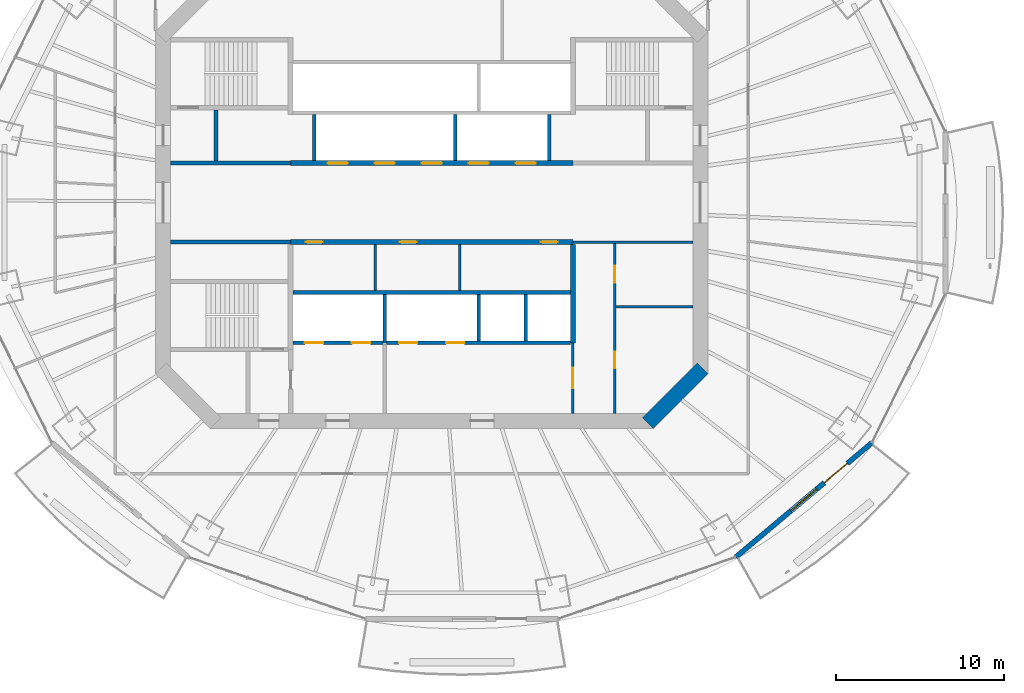
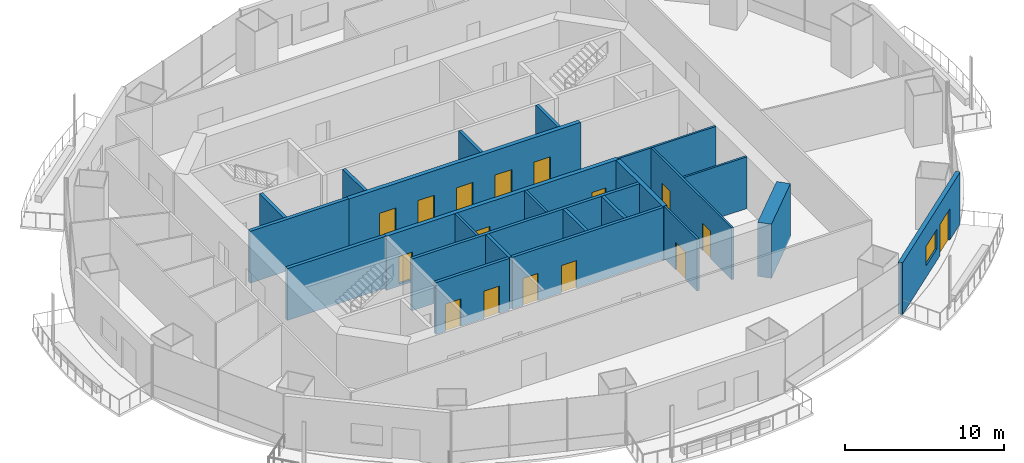
# One storey, part 11 of 18: 23 walls, 16 doors, 1 window, 17 openings.
"""IFC4 building model written with IfcOpenShell, lengths in metres."""

from ifc_helpers import new_model, si_unit, direction, frame, frame_2d, origin, place, context, subcontext, project, spatial, rectangle, extrude, material, layer, layer_set, type_object, element, fill, save


model = new_model("IFC4")

# Units and contexts
model_context = context("Model", 3, precision=1e-05, world=origin(), true_north=direction((0.0, 1.0)))
body_context = subcontext(model_context, "Body", "Model", "MODEL_VIEW")
ifc_project = project(units=[si_unit("LENGTHUNIT", "METRE"), si_unit("AREAUNIT", "SQUARE_METRE"), si_unit("VOLUMEUNIT", "CUBIC_METRE"), si_unit("PLANEANGLEUNIT", "RADIAN"), si_unit("MASSUNIT", "GRAM", prefix="KILO")], contexts=[model_context])

# Site, building, storey
site_placement = place(None, origin())
site = spatial("IfcSite", under=ifc_project, at=site_placement, CompositionType="ELEMENT")
building_placement = place(site_placement, origin())
building = spatial("IfcBuilding", under=site, at=building_placement, Name="Marenthal Gate Tower", CompositionType="ELEMENT")
storey_placement = place(building_placement, frame((0.0, 0.0, 260.64990234375)))
storey = spatial("IfcBuildingStorey", under=building, at=storey_placement, Name="L58", CompositionType="ELEMENT", Elevation=260.64990234375)

# Wall
ifc_material_1 = material(Name="Concrete 60 MPa", Category="concrete")
ifc_layer_1 = layer(ifc_material_1, 0.89990234375)
ifc_layer_set_1 = layer_set([ifc_layer_1], Name="Core shear wall 900")
wall_type_1 = type_object("IfcWallType", Name="Core shear wall 900", PredefinedType="SHEAR", material=ifc_layer_set_1)
wall_1_placement = place(storey_placement, frame((12.8681640625, -13.1318359375, -0.179931640625), z_axis=(0.0, 0.0, 1.0), x_axis=(0.707106781187, 0.707106781187, 0.0)))
element("IfcWall", 1, at=wall_1_placement, inside=storey, type_object=wall_type_1, Name="Core wall 01", PredefinedType="SHEAR", context=body_context, shape_type="SweptSolid", body=[
    extrude(rectangle(XDim=4.615478515625, YDim=0.89990234375, at=frame_2d((2.3076171875, 0.0))), origin(), (0.0, 0.0, 1.0), 4.150146484375),
])

# Wall, openings, doors
ifc_material_2 = material(Name="Concrete 50 MPa", Category="concrete")
ifc_layer_2 = layer(ifc_material_2, 0.300048828125)
ifc_layer_set_2 = layer_set([ifc_layer_2], Name="Hoistway shear wall 300")
wall_type_2 = type_object("IfcWallType", Name="Hoistway shear wall 300", PredefinedType="SHEAR", material=ifc_layer_set_2)
wall_2_placement = place(storey_placement, frame((-8.39990234375, -2.35009765625, -0.179931640625), z_axis=(0.0, 0.0, 1.0), x_axis=(1.0, 0.0, 0.0)))
wall_2 = element("IfcWall", 2, at=wall_2_placement, inside=storey, type_object=wall_type_2, Name="Hoistway wall 16", PredefinedType="SHEAR", context=body_context, shape_type="SweptSolid", body=[
    extrude(rectangle(XDim=16.7998046875, YDim=0.300048828125, at=frame_2d((8.39990234375, 0.0))), origin(), (0.0, 0.0, 1.0), 4.150146484375),
])
opening_1_placement = place(wall_2_placement, frame((0.89990234375, 0.0, 0.179931640625)))
opening_1 = element("IfcOpeningElement", 3, at=opening_1_placement, cuts=wall_2, Name="Opening D005.01", PredefinedType="OPENING", context=body_context, shape_type="SweptSolid", body=[
    extrude(rectangle(XDim=1.0, YDim=2.10009765625, at=frame_2d((0.5, 1.050048828125))), frame((0.0, 0.16015625, 0.0), z_axis=(0.0, -1.0, 0.0), x_axis=(1.0, 0.0, 0.0)), (0.0, 0.0, 1.0), 0.320068359375),
])
opening_2_placement = place(wall_2_placement, frame((6.5, 0.0, 0.179931640625)))
opening_2 = element("IfcOpeningElement", 4, at=opening_2_placement, cuts=wall_2, Name="Opening D005.02", PredefinedType="OPENING", context=body_context, shape_type="SweptSolid", body=[
    extrude(rectangle(XDim=1.0, YDim=2.10009765625, at=frame_2d((0.5, 1.050048828125))), frame((0.0, 0.16015625, 0.0), z_axis=(0.0, -1.0, 0.0), x_axis=(1.0, 0.0, 0.0)), (0.0, 0.0, 1.0), 0.320068359375),
])
opening_3_placement = place(wall_2_placement, frame((14.89990234375, 0.0, 0.179931640625)))
opening_3 = element("IfcOpeningElement", 5, at=opening_3_placement, cuts=wall_2, Name="Opening D005.03", PredefinedType="OPENING", context=body_context, shape_type="SweptSolid", body=[
    extrude(rectangle(XDim=1.0, YDim=2.10009765625, at=frame_2d((0.5, 1.050048828125))), frame((0.0, 0.16015625, 0.0), z_axis=(0.0, -1.0, 0.0), x_axis=(1.0, 0.0, 0.0)), (0.0, 0.0, 1.0), 0.320068359375),
])
ifc_material_3 = material(Name="Steel fire door", Category="steel")
door_type_1 = type_object("IfcDoorType", Name="Fire door FD 45 1000 x 2100", OperationType="NOTDEFINED", PredefinedType="DOOR", material=ifc_material_3)
door_1_placement = place(opening_1_placement, frame((1.0, 0.0, 0.0), z_axis=(0.0, 0.0, 1.0), x_axis=(-1.0, 0.0, 0.0)))
door_1 = element("IfcDoor", 6, at=door_1_placement, inside=storey, type_object=door_type_1, Name="Door D005.01", OperationType="SINGLE_SWING_LEFT", OverallHeight=2.10009765625, OverallWidth=1.0, PredefinedType="DOOR", context=body_context, shape_type="SweptSolid", body=[
    extrude(rectangle(XDim=1.0, YDim=2.10009765625, at=frame_2d((0.5, 1.050048828125))), frame((0.0, 0.02490234375, 0.0), z_axis=(0.0, -1.0, 0.0), x_axis=(1.0, 0.0, 0.0)), (0.0, 0.0, 1.0), 0.050048828125),
])
fill(opening_1, door_1)
door_2_placement = place(opening_2_placement, frame((1.0, 0.0, 0.0), z_axis=(0.0, 0.0, 1.0), x_axis=(-1.0, 0.0, 0.0)))
door_2 = element("IfcDoor", 7, at=door_2_placement, inside=storey, type_object=door_type_1, Name="Door D005.02", OperationType="SINGLE_SWING_LEFT", OverallHeight=2.10009765625, OverallWidth=1.0, PredefinedType="DOOR", context=body_context, shape_type="SweptSolid", body=[
    extrude(rectangle(XDim=1.0, YDim=2.10009765625, at=frame_2d((0.5, 1.050048828125))), frame((0.0, 0.02490234375, 0.0), z_axis=(0.0, -1.0, 0.0), x_axis=(1.0, 0.0, 0.0)), (0.0, 0.0, 1.0), 0.050048828125),
])
fill(opening_2, door_2)
door_3_placement = place(opening_3_placement, frame((1.0, 0.0, 0.0), z_axis=(0.0, 0.0, 1.0), x_axis=(-1.0, 0.0, 0.0)))
door_3 = element("IfcDoor", 8, at=door_3_placement, inside=storey, type_object=door_type_1, Name="Door D005.03", OperationType="SINGLE_SWING_LEFT", OverallHeight=2.10009765625, OverallWidth=1.0, PredefinedType="DOOR", context=body_context, shape_type="SweptSolid", body=[
    extrude(rectangle(XDim=1.0, YDim=2.10009765625, at=frame_2d((0.5, 1.050048828125))), frame((0.0, 0.02490234375, 0.0), z_axis=(0.0, -1.0, 0.0), x_axis=(1.0, 0.0, 0.0)), (0.0, 0.0, 1.0), 0.050048828125),
])
fill(opening_3, door_3)

wall_3_placement = place(storey_placement, frame((-8.39990234375, 2.35009765625, -0.179931640625), z_axis=(0.0, 0.0, 1.0), x_axis=(1.0, 0.0, 0.0)))
wall_3 = element("IfcWall", 9, at=wall_3_placement, inside=storey, type_object=wall_type_2, Name="Hoistway wall 19", PredefinedType="SHEAR", context=body_context, shape_type="SweptSolid", body=[
    extrude(rectangle(XDim=16.7998046875, YDim=0.300048828125, at=frame_2d((8.39990234375, 0.0))), origin(), (0.0, 0.0, 1.0), 4.150146484375),
])
opening_4_placement = place(wall_3_placement, frame((2.199951171875, 0.0, 0.179931640625)))
opening_4 = element("IfcOpeningElement", 10, at=opening_4_placement, cuts=wall_3, Name="Opening LD-MP1", PredefinedType="OPENING", context=body_context, shape_type="SweptSolid", body=[
    extrude(rectangle(XDim=1.199951171875, YDim=2.10009765625, at=frame_2d((0.60009765625, 1.050048828125))), frame((0.0, 0.16015625, 0.0), z_axis=(0.0, -1.0, 0.0), x_axis=(1.0, 0.0, 0.0)), (0.0, 0.0, 1.0), 0.320068359375),
])
opening_5_placement = place(wall_3_placement, frame((5.0, 0.0, 0.179931640625)))
opening_5 = element("IfcOpeningElement", 11, at=opening_5_placement, cuts=wall_3, Name="Opening LD-MP2", PredefinedType="OPENING", context=body_context, shape_type="SweptSolid", body=[
    extrude(rectangle(XDim=1.199951171875, YDim=2.10009765625, at=frame_2d((0.60009765625, 1.050048828125))), frame((0.0, 0.16015625, 0.0), z_axis=(0.0, -1.0, 0.0), x_axis=(1.0, 0.0, 0.0)), (0.0, 0.0, 1.0), 0.320068359375),
])
opening_6_placement = place(wall_3_placement, frame((7.800048828125, 0.0, 0.179931640625)))
opening_6 = element("IfcOpeningElement", 12, at=opening_6_placement, cuts=wall_3, Name="Opening LD-MP3", PredefinedType="OPENING", context=body_context, shape_type="SweptSolid", body=[
    extrude(rectangle(XDim=1.199951171875, YDim=2.10009765625, at=frame_2d((0.60009765625, 1.050048828125))), frame((0.0, 0.16015625, 0.0), z_axis=(0.0, -1.0, 0.0), x_axis=(1.0, 0.0, 0.0)), (0.0, 0.0, 1.0), 0.320068359375),
])
opening_7_placement = place(wall_3_placement, frame((10.60009765625, 0.0, 0.179931640625)))
opening_7 = element("IfcOpeningElement", 13, at=opening_7_placement, cuts=wall_3, Name="Opening LD-MP4", PredefinedType="OPENING", context=body_context, shape_type="SweptSolid", body=[
    extrude(rectangle(XDim=1.199951171875, YDim=2.10009765625, at=frame_2d((0.60009765625, 1.050048828125))), frame((0.0, 0.16015625, 0.0), z_axis=(0.0, -1.0, 0.0), x_axis=(1.0, 0.0, 0.0)), (0.0, 0.0, 1.0), 0.320068359375),
])
opening_8_placement = place(wall_3_placement, frame((13.39990234375, 0.0, 0.179931640625)))
opening_8 = element("IfcOpeningElement", 14, at=opening_8_placement, cuts=wall_3, Name="Opening LD-MP5", PredefinedType="OPENING", context=body_context, shape_type="SweptSolid", body=[
    extrude(rectangle(XDim=1.199951171875, YDim=2.10009765625, at=frame_2d((0.60009765625, 1.050048828125))), frame((0.0, 0.16015625, 0.0), z_axis=(0.0, -1.0, 0.0), x_axis=(1.0, 0.0, 0.0)), (0.0, 0.0, 1.0), 0.320068359375),
])
ifc_material_4 = material(Name="Stainless steel sliding door", Category="steel")
door_type_2 = type_object("IfcDoorType", Name="Lift landing door FD 90 1200 x 2100", OperationType="DOUBLE_DOOR_SLIDING", PredefinedType="DOOR", material=ifc_material_4)
door_4_placement = place(opening_4_placement, origin())
door_4 = element("IfcDoor", 15, at=door_4_placement, inside=storey, type_object=door_type_2, Name="Lift landing door MP1", OperationType="DOUBLE_DOOR_SLIDING", OverallHeight=2.10009765625, OverallWidth=1.199951171875, PredefinedType="DOOR", context=body_context, shape_type="SweptSolid", body=[
    extrude(rectangle(XDim=1.199951171875, YDim=2.10009765625, at=frame_2d((0.60009765625, 1.050048828125))), frame((0.0, 0.02490234375, 0.0), z_axis=(0.0, -1.0, 0.0), x_axis=(1.0, 0.0, 0.0)), (0.0, 0.0, 1.0), 0.050048828125),
])
fill(opening_4, door_4)
door_5_placement = place(opening_5_placement, origin())
door_5 = element("IfcDoor", 16, at=door_5_placement, inside=storey, type_object=door_type_2, Name="Lift landing door MP2", OperationType="DOUBLE_DOOR_SLIDING", OverallHeight=2.10009765625, OverallWidth=1.199951171875, PredefinedType="DOOR", context=body_context, shape_type="SweptSolid", body=[
    extrude(rectangle(XDim=1.199951171875, YDim=2.10009765625, at=frame_2d((0.60009765625, 1.050048828125))), frame((0.0, 0.02490234375, 0.0), z_axis=(0.0, -1.0, 0.0), x_axis=(1.0, 0.0, 0.0)), (0.0, 0.0, 1.0), 0.050048828125),
])
fill(opening_5, door_5)
door_6_placement = place(opening_6_placement, origin())
door_6 = element("IfcDoor", 17, at=door_6_placement, inside=storey, type_object=door_type_2, Name="Lift landing door MP3", OperationType="DOUBLE_DOOR_SLIDING", OverallHeight=2.10009765625, OverallWidth=1.199951171875, PredefinedType="DOOR", context=body_context, shape_type="SweptSolid", body=[
    extrude(rectangle(XDim=1.199951171875, YDim=2.10009765625, at=frame_2d((0.60009765625, 1.050048828125))), frame((0.0, 0.02490234375, 0.0), z_axis=(0.0, -1.0, 0.0), x_axis=(1.0, 0.0, 0.0)), (0.0, 0.0, 1.0), 0.050048828125),
])
fill(opening_6, door_6)
door_7_placement = place(opening_7_placement, origin())
door_7 = element("IfcDoor", 18, at=door_7_placement, inside=storey, type_object=door_type_2, Name="Lift landing door MP4", OperationType="DOUBLE_DOOR_SLIDING", OverallHeight=2.10009765625, OverallWidth=1.199951171875, PredefinedType="DOOR", context=body_context, shape_type="SweptSolid", body=[
    extrude(rectangle(XDim=1.199951171875, YDim=2.10009765625, at=frame_2d((0.60009765625, 1.050048828125))), frame((0.0, 0.02490234375, 0.0), z_axis=(0.0, -1.0, 0.0), x_axis=(1.0, 0.0, 0.0)), (0.0, 0.0, 1.0), 0.050048828125),
])
fill(opening_7, door_7)
door_8_placement = place(opening_8_placement, origin())
door_8 = element("IfcDoor", 19, at=door_8_placement, inside=storey, type_object=door_type_2, Name="Lift landing door MP5", OperationType="DOUBLE_DOOR_SLIDING", OverallHeight=2.10009765625, OverallWidth=1.199951171875, PredefinedType="DOOR", context=body_context, shape_type="SweptSolid", body=[
    extrude(rectangle(XDim=1.199951171875, YDim=2.10009765625, at=frame_2d((0.60009765625, 1.050048828125))), frame((0.0, 0.02490234375, 0.0), z_axis=(0.0, -1.0, 0.0), x_axis=(1.0, 0.0, 0.0)), (0.0, 0.0, 1.0), 0.050048828125),
])
fill(opening_8, door_8)

# Wall
wall_4_placement = place(storey_placement, frame((8.39990234375, -8.35009765625, -0.179931640625), z_axis=(0.0, 0.0, 1.0), x_axis=(0.0, 1.0, 0.0)))
element("IfcWall", 20, at=wall_4_placement, inside=storey, type_object=wall_type_2, Name="Hoistway wall 45", PredefinedType="SHEAR", context=body_context, shape_type="SweptSolid", body=[
    extrude(rectangle(XDim=5.85009765625, YDim=0.300048828125, at=frame_2d((2.925048828125, 0.0))), origin(), (0.0, 0.0, 1.0), 4.150146484375),
])

# Wall, openings, doors
ifc_material_5 = material(Name="Concrete 40 MPa", Category="concrete")
ifc_layer_3 = layer(ifc_material_5, 0.219970703125)
ifc_layer_set_3 = layer_set([ifc_layer_3], Name="Hoistway wall 220")
wall_type_3 = type_object("IfcWallType", Name="Hoistway wall 220", PredefinedType="STANDARD", material=ifc_layer_set_3)
wall_5_placement = place(storey_placement, frame((-8.25, -8.35009765625, 0.0), z_axis=(0.0, 0.0, 1.0), x_axis=(1.0, 0.0, 0.0)))
wall_5 = element("IfcWall", 21, at=wall_5_placement, inside=storey, type_object=wall_type_3, Name="Hoistway wall 10", PredefinedType="STANDARD", context=body_context, shape_type="SweptSolid", body=[
    extrude(rectangle(XDim=5.340087890625, YDim=0.219970703125, at=frame_2d((2.669921875, 0.0))), origin(), (0.0, 0.0, 1.0), 3.97021484375),
])
opening_9_placement = place(wall_5_placement, frame((0.699951171875, 0.0, 0.0)))
opening_9 = element("IfcOpeningElement", 22, at=opening_9_placement, cuts=wall_5, Name="Opening LD-LF1", PredefinedType="OPENING", context=body_context, shape_type="SweptSolid", body=[
    extrude(rectangle(XDim=1.10009765625, YDim=2.10009765625, at=frame_2d((0.550048828125, 1.050048828125))), frame((0.0, 0.1201171875, 0.0), z_axis=(0.0, -1.0, 0.0), x_axis=(1.0, 0.0, 0.0)), (0.0, 0.0, 1.0), 0.239990234375),
])
opening_10_placement = place(wall_5_placement, frame((3.5, 0.0, 0.0)))
opening_10 = element("IfcOpeningElement", 23, at=opening_10_placement, cuts=wall_5, Name="Opening LD-LF2", PredefinedType="OPENING", context=body_context, shape_type="SweptSolid", body=[
    extrude(rectangle(XDim=1.10009765625, YDim=2.10009765625, at=frame_2d((0.550048828125, 1.050048828125))), frame((0.0, 0.1201171875, 0.0), z_axis=(0.0, -1.0, 0.0), x_axis=(1.0, 0.0, 0.0)), (0.0, 0.0, 1.0), 0.239990234375),
])
ifc_material_6 = material(Name="Stainless steel sliding door", Category="steel")
door_type_3 = type_object("IfcDoorType", Name="Lift landing door FD 90 1100 x 2100", OperationType="DOUBLE_DOOR_SLIDING", PredefinedType="DOOR", material=ifc_material_6)
door_9_placement = place(opening_9_placement, origin())
door_9 = element("IfcDoor", 24, at=door_9_placement, inside=storey, type_object=door_type_3, Name="Lift landing door LF1", OperationType="DOUBLE_DOOR_SLIDING", OverallHeight=2.10009765625, OverallWidth=1.10009765625, PredefinedType="DOOR", context=body_context, shape_type="SweptSolid", body=[
    extrude(rectangle(XDim=1.10009765625, YDim=2.10009765625, at=frame_2d((0.550048828125, 1.050048828125))), frame((0.0, 0.02490234375, 0.0), z_axis=(0.0, -1.0, 0.0), x_axis=(1.0, 0.0, 0.0)), (0.0, 0.0, 1.0), 0.050048828125),
])
fill(opening_9, door_9)
door_10_placement = place(opening_10_placement, origin())
door_10 = element("IfcDoor", 25, at=door_10_placement, inside=storey, type_object=door_type_3, Name="Lift landing door LF2", OperationType="DOUBLE_DOOR_SLIDING", OverallHeight=2.10009765625, OverallWidth=1.10009765625, PredefinedType="DOOR", context=body_context, shape_type="SweptSolid", body=[
    extrude(rectangle(XDim=1.10009765625, YDim=2.10009765625, at=frame_2d((0.550048828125, 1.050048828125))), frame((0.0, 0.02490234375, 0.0), z_axis=(0.0, -1.0, 0.0), x_axis=(1.0, 0.0, 0.0)), (0.0, 0.0, 1.0), 0.050048828125),
])
fill(opening_10, door_10)

wall_6_placement = place(storey_placement, frame((-2.68994140625, -8.35009765625, 0.0), z_axis=(0.0, 0.0, 1.0), x_axis=(1.0, 0.0, 0.0)))
wall_6 = element("IfcWall", 26, at=wall_6_placement, inside=storey, type_object=wall_type_3, Name="Hoistway wall 11", PredefinedType="STANDARD", context=body_context, shape_type="SweptSolid", body=[
    extrude(rectangle(XDim=10.93994140625, YDim=0.219970703125, at=frame_2d((5.469970703125, 0.0))), origin(), (0.0, 0.0, 1.0), 3.97021484375),
])
opening_11_placement = place(wall_6_placement, frame((0.739990234375, 0.0, 0.0)))
opening_11 = element("IfcOpeningElement", 27, at=opening_11_placement, cuts=wall_6, Name="Opening LD-SV1", PredefinedType="OPENING", context=body_context, shape_type="SweptSolid", body=[
    extrude(rectangle(XDim=1.10009765625, YDim=2.10009765625, at=frame_2d((0.550048828125, 1.050048828125))), frame((0.0, 0.1201171875, 0.0), z_axis=(0.0, -1.0, 0.0), x_axis=(1.0, 0.0, 0.0)), (0.0, 0.0, 1.0), 0.239990234375),
])
opening_12_placement = place(wall_6_placement, frame((3.5400390625, 0.0, 0.0)))
opening_12 = element("IfcOpeningElement", 28, at=opening_12_placement, cuts=wall_6, Name="Opening LD-SV2", PredefinedType="OPENING", context=body_context, shape_type="SweptSolid", body=[
    extrude(rectangle(XDim=1.10009765625, YDim=2.10009765625, at=frame_2d((0.550048828125, 1.050048828125))), frame((0.0, 0.1201171875, 0.0), z_axis=(0.0, -1.0, 0.0), x_axis=(1.0, 0.0, 0.0)), (0.0, 0.0, 1.0), 0.239990234375),
])
door_11_placement = place(opening_11_placement, origin())
door_11 = element("IfcDoor", 29, at=door_11_placement, inside=storey, type_object=door_type_3, Name="Lift landing door SV1", OperationType="DOUBLE_DOOR_SLIDING", OverallHeight=2.10009765625, OverallWidth=1.10009765625, PredefinedType="DOOR", context=body_context, shape_type="SweptSolid", body=[
    extrude(rectangle(XDim=1.10009765625, YDim=2.10009765625, at=frame_2d((0.550048828125, 1.050048828125))), frame((0.0, 0.02490234375, 0.0), z_axis=(0.0, -1.0, 0.0), x_axis=(1.0, 0.0, 0.0)), (0.0, 0.0, 1.0), 0.050048828125),
])
fill(opening_11, door_11)
door_12_placement = place(opening_12_placement, origin())
door_12 = element("IfcDoor", 30, at=door_12_placement, inside=storey, type_object=door_type_3, Name="Lift landing door SV2", OperationType="DOUBLE_DOOR_SLIDING", OverallHeight=2.10009765625, OverallWidth=1.10009765625, PredefinedType="DOOR", context=body_context, shape_type="SweptSolid", body=[
    extrude(rectangle(XDim=1.10009765625, YDim=2.10009765625, at=frame_2d((0.550048828125, 1.050048828125))), frame((0.0, 0.02490234375, 0.0), z_axis=(0.0, -1.0, 0.0), x_axis=(1.0, 0.0, 0.0)), (0.0, 0.0, 1.0), 0.050048828125),
])
fill(opening_12, door_12)

# Walls
wall_7_placement = place(storey_placement, frame((-8.25, -5.35009765625, 0.0), z_axis=(0.0, 0.0, 1.0), x_axis=(1.0, 0.0, 0.0)))
element("IfcWall", 31, at=wall_7_placement, inside=storey, type_object=wall_type_3, Name="Hoistway wall 13", PredefinedType="STANDARD", context=body_context, shape_type="SweptSolid", body=[
    extrude(rectangle(XDim=16.5, YDim=0.219970703125, at=frame_2d((8.25, 0.0))), origin(), (0.0, 0.0, 1.0), 3.97021484375),
])
wall_8_placement = place(storey_placement, frame((-7.0, 2.5, 0.0), z_axis=(0.0, 0.0, 1.0), x_axis=(0.0, 1.0, 0.0)))
element("IfcWall", 32, at=wall_8_placement, inside=storey, type_object=wall_type_3, Name="Hoistway wall 33", PredefinedType="STANDARD", context=body_context, shape_type="SweptSolid", body=[
    extrude(rectangle(XDim=2.739990234375, YDim=0.219970703125, at=frame_2d((1.3701171875, 0.0))), origin(), (0.0, 0.0, 1.0), 3.97021484375),
])
wall_9_placement = place(storey_placement, frame((-2.800048828125, -8.35009765625, 0.0), z_axis=(0.0, 0.0, 1.0), x_axis=(0.0, 1.0, 0.0)))
element("IfcWall", 33, at=wall_9_placement, inside=storey, type_object=wall_type_3, Name="Hoistway wall 36", PredefinedType="STANDARD", context=body_context, shape_type="SweptSolid", body=[
    extrude(rectangle(XDim=2.89013671875, YDim=0.219970703125, at=frame_2d((1.445068359375, 0.0))), origin(), (0.0, 0.0, 1.0), 3.97021484375),
])
wall_10_placement = place(storey_placement, frame((1.39990234375, 2.5, 0.0), z_axis=(0.0, 0.0, 1.0), x_axis=(0.0, 1.0, 0.0)))
element("IfcWall", 34, at=wall_10_placement, inside=storey, type_object=wall_type_3, Name="Hoistway wall 37", PredefinedType="STANDARD", context=body_context, shape_type="SweptSolid", body=[
    extrude(rectangle(XDim=2.739990234375, YDim=0.219970703125, at=frame_2d((1.3701171875, 0.0))), origin(), (0.0, 0.0, 1.0), 3.97021484375),
])
for number, where, z_axis, x_axis, name in (
    (35, (2.800048828125, -8.239990234375, 0.0), (0.0, 0.0, 1.0), (0.0, 1.0, 0.0), "Hoistway wall 39"),
    (36, (5.60009765625, -8.239990234375, 0.0), (0.0, 0.0, 1.0), (0.0, 1.0, 0.0), "Hoistway wall 42"),
):
    element("IfcWall", number, at=place(storey_placement, frame(where, z_axis=z_axis, x_axis=x_axis)), inside=storey, type_object=wall_type_3, Name=name, PredefinedType="STANDARD", context=body_context, shape_type="SweptSolid", body=[
        extrude(rectangle(XDim=2.780029296875, YDim=0.219970703125, at=frame_2d((1.39013671875, 0.0))), origin(), (0.0, 0.0, 1.0), 3.97021484375),
    ])
wall_11_placement = place(storey_placement, frame((7.0, 2.5, 0.0), z_axis=(0.0, 0.0, 1.0), x_axis=(0.0, 1.0, 0.0)))
element("IfcWall", 37, at=wall_11_placement, inside=storey, type_object=wall_type_3, Name="Hoistway wall 43", PredefinedType="STANDARD", context=body_context, shape_type="SweptSolid", body=[
    extrude(rectangle(XDim=2.739990234375, YDim=0.219970703125, at=frame_2d((1.3701171875, 0.0))), origin(), (0.0, 0.0, 1.0), 3.97021484375),
])
ifc_material_7 = material(Name="Gypsum board on steel studs", Category="steel")
ifc_layer_4 = layer(ifc_material_7, 0.14990234375)
ifc_layer_set_4 = layer_set([ifc_layer_4], Name="Partition 150")
wall_type_4 = type_object("IfcWallType", Name="Partition 150", PredefinedType="PARTITIONING", material=ifc_layer_set_4)
wall_12_placement = place(storey_placement, frame((10.97509765625, -6.199951171875, 0.0), z_axis=(0.0, 0.0, 1.0), x_axis=(1.0, 0.0, 0.0)))
element("IfcWall", 38, at=wall_12_placement, inside=storey, type_object=wall_type_4, Name="Partition wall 12", PredefinedType="PARTITIONING", context=body_context, shape_type="SweptSolid", body=[
    extrude(rectangle(XDim=4.574951171875, YDim=0.14990234375, at=frame_2d((2.28759765625, 0.0))), origin(), (0.0, 0.0, 1.0), 3.97021484375),
])
wall_13_placement = place(storey_placement, frame((8.39990234375, -2.35009765625, 0.0), z_axis=(0.0, 0.0, 1.0), x_axis=(1.0, 0.0, 0.0)))
element("IfcWall", 39, at=wall_13_placement, inside=storey, type_object=wall_type_4, Name="Partition wall 17", PredefinedType="PARTITIONING", context=body_context, shape_type="SweptSolid", body=[
    extrude(rectangle(XDim=7.150146484375, YDim=0.14990234375, at=frame_2d((3.5751953125, 0.0))), origin(), (0.0, 0.0, 1.0), 3.97021484375),
])
for number, where, z_axis, x_axis, name in (
    (40, (-3.360107421875, -5.239990234375, 0.0), (0.0, 0.0, 1.0), (0.0, 1.0, 0.0), "Partition wall 34"),
    (41, (1.679931640625, -5.239990234375, 0.0), (0.0, 0.0, 1.0), (0.0, 1.0, 0.0), "Partition wall 38"),
):
    element("IfcWall", number, at=place(storey_placement, frame(where, z_axis=z_axis, x_axis=x_axis)), inside=storey, type_object=wall_type_4, Name=name, PredefinedType="PARTITIONING", context=body_context, shape_type="SweptSolid", body=[
        extrude(rectangle(XDim=2.739990234375, YDim=0.14990234375, at=frame_2d((1.3701171875, 0.0))), origin(), (0.0, 0.0, 1.0), 3.97021484375),
    ])

# Wall, opening, door
wall_14_placement = place(storey_placement, frame((8.39990234375, -12.550048828125, 0.0), z_axis=(0.0, 0.0, 1.0), x_axis=(0.0, 1.0, 0.0)))
wall_14 = element("IfcWall", 42, at=wall_14_placement, inside=storey, type_object=wall_type_4, Name="Partition wall 44", PredefinedType="PARTITIONING", context=body_context, shape_type="SweptSolid", body=[
    extrude(rectangle(XDim=4.199951171875, YDim=0.14990234375, at=frame_2d((2.10009765625, 0.0))), origin(), (0.0, 0.0, 1.0), 3.97021484375),
])
opening_13_placement = place(wall_14_placement, frame((1.5, 0.0, 0.0)))
opening_13 = element("IfcOpeningElement", 43, at=opening_13_placement, cuts=wall_14, Name="Opening D006.01", PredefinedType="OPENING", context=body_context, shape_type="SweptSolid", body=[
    extrude(rectangle(XDim=1.199951171875, YDim=2.10009765625, at=frame_2d((0.60009765625, 1.050048828125))), frame((0.0, 0.0849609375, 0.0), z_axis=(0.0, -1.0, 0.0), x_axis=(1.0, 0.0, 0.0)), (0.0, 0.0, 1.0), 0.169921875),
])
ifc_material_8 = material(Name="Steel fire door", Category="steel")
door_type_4 = type_object("IfcDoorType", Name="Fire door FD 45 1200 x 2100", OperationType="NOTDEFINED", PredefinedType="DOOR", material=ifc_material_8)
door_13_placement = place(opening_13_placement, frame((1.199951171875, 0.0, 0.0), z_axis=(0.0, 0.0, 1.0), x_axis=(-1.0, 0.0, 0.0)))
door_13 = element("IfcDoor", 44, at=door_13_placement, inside=storey, type_object=door_type_4, Name="Door D006.01", OperationType="SINGLE_SWING_LEFT", OverallHeight=2.10009765625, OverallWidth=1.199951171875, PredefinedType="DOOR", context=body_context, shape_type="SweptSolid", body=[
    extrude(rectangle(XDim=1.199951171875, YDim=2.10009765625, at=frame_2d((0.60009765625, 1.050048828125))), frame((0.0, 0.02490234375, 0.0), z_axis=(0.0, -1.0, 0.0), x_axis=(1.0, 0.0, 0.0)), (0.0, 0.0, 1.0), 0.050048828125),
])
fill(opening_13, door_13)

# Wall, openings, doors
wall_15_placement = place(storey_placement, frame((10.89990234375, -12.550048828125, 0.0), z_axis=(0.0, 0.0, 1.0), x_axis=(0.0, 1.0, 0.0)))
wall_15 = element("IfcWall", 45, at=wall_15_placement, inside=storey, type_object=wall_type_4, Name="Partition wall 48", PredefinedType="PARTITIONING", context=body_context, shape_type="SweptSolid", body=[
    extrude(rectangle(XDim=10.125, YDim=0.14990234375, at=frame_2d((5.0625, 0.0))), origin(), (0.0, 0.0, 1.0), 3.97021484375),
])
opening_14_placement = place(wall_15_placement, frame((7.77490234375, 0.0, 0.0)))
opening_14 = element("IfcOpeningElement", 46, at=opening_14_placement, cuts=wall_15, Name="Opening D005.06", PredefinedType="OPENING", context=body_context, shape_type="SweptSolid", body=[
    extrude(rectangle(XDim=1.0, YDim=2.10009765625, at=frame_2d((0.5, 1.050048828125))), frame((0.0, 0.0849609375, 0.0), z_axis=(0.0, -1.0, 0.0), x_axis=(1.0, 0.0, 0.0)), (0.0, 0.0, 1.0), 0.169921875),
])
opening_15_placement = place(wall_15_placement, frame((2.675048828125, 0.0, 0.0)))
opening_15 = element("IfcOpeningElement", 47, at=opening_15_placement, cuts=wall_15, Name="Opening D005.07", PredefinedType="OPENING", context=body_context, shape_type="SweptSolid", body=[
    extrude(rectangle(XDim=1.0, YDim=2.10009765625, at=frame_2d((0.5, 1.050048828125))), frame((0.0, 0.0849609375, 0.0), z_axis=(0.0, -1.0, 0.0), x_axis=(1.0, 0.0, 0.0)), (0.0, 0.0, 1.0), 0.169921875),
])
door_14_placement = place(opening_14_placement, frame((1.0, 0.0, 0.0), z_axis=(0.0, 0.0, 1.0), x_axis=(-1.0, 0.0, 0.0)))
door_14 = element("IfcDoor", 48, at=door_14_placement, inside=storey, type_object=door_type_1, Name="Door D005.06", OperationType="SINGLE_SWING_LEFT", OverallHeight=2.10009765625, OverallWidth=1.0, PredefinedType="DOOR", context=body_context, shape_type="SweptSolid", body=[
    extrude(rectangle(XDim=1.0, YDim=2.10009765625, at=frame_2d((0.5, 1.050048828125))), frame((0.0, 0.02490234375, 0.0), z_axis=(0.0, -1.0, 0.0), x_axis=(1.0, 0.0, 0.0)), (0.0, 0.0, 1.0), 0.050048828125),
])
fill(opening_14, door_14)
door_15_placement = place(opening_15_placement, frame((1.0, 0.0, 0.0), z_axis=(0.0, 0.0, 1.0), x_axis=(-1.0, 0.0, 0.0)))
door_15 = element("IfcDoor", 49, at=door_15_placement, inside=storey, type_object=door_type_1, Name="Door D005.07", OperationType="SINGLE_SWING_LEFT", OverallHeight=2.10009765625, OverallWidth=1.0, PredefinedType="DOOR", context=body_context, shape_type="SweptSolid", body=[
    extrude(rectangle(XDim=1.0, YDim=2.10009765625, at=frame_2d((0.5, 1.050048828125))), frame((0.0, 0.02490234375, 0.0), z_axis=(0.0, -1.0, 0.0), x_axis=(1.0, 0.0, 0.0)), (0.0, 0.0, 1.0), 0.050048828125),
])
fill(opening_15, door_15)

# Walls
ifc_material_9 = material(Name="Concrete 40 MPa", Category="concrete")
ifc_layer_5 = layer(ifc_material_9, 0.25)
ifc_layer_set_5 = layer_set([ifc_layer_5], Name="Stair enclosure wall 250")
wall_type_5 = type_object("IfcWallType", Name="Stair enclosure wall 250", PredefinedType="STANDARD", material=ifc_layer_set_5)
for number, where, z_axis, x_axis, name in (
    (50, (-15.550048828125, -2.35009765625, 0.0), (0.0, 0.0, 1.0), (1.0, 0.0, 0.0), "Stair wall 15"),
    (51, (-15.550048828125, 2.35009765625, 0.0), (0.0, 0.0, 1.0), (1.0, 0.0, 0.0), "Stair wall 18"),
):
    element("IfcWall", number, at=place(storey_placement, frame(where, z_axis=z_axis, x_axis=x_axis)), inside=storey, type_object=wall_type_5, Name=name, PredefinedType="STANDARD", context=body_context, shape_type="SweptSolid", body=[
        extrude(rectangle(XDim=7.150146484375, YDim=0.25, at=frame_2d((3.5751953125, 0.0))), origin(), (0.0, 0.0, 1.0), 3.97021484375),
    ])
wall_16_placement = place(storey_placement, frame((-12.85009765625, 2.47509765625, 0.0), z_axis=(0.0, 0.0, 1.0), x_axis=(0.0, 1.0, 0.0)))
element("IfcWall", 52, at=wall_16_placement, inside=storey, type_object=wall_type_5, Name="Stair wall 27", PredefinedType="STANDARD", context=body_context, shape_type="SweptSolid", body=[
    extrude(rectangle(XDim=3.0498046875, YDim=0.25, at=frame_2d((1.52490234375, 0.0))), origin(), (0.0, 0.0, 1.0), 3.97021484375),
])

# Wall, openings, door, window
ifc_material_10 = material(Name="Terracotta cladding on insulated concrete-block backing", Category="masonry")
ifc_layer_6 = layer(ifc_material_10, 0.300048828125)
ifc_layer_set_6 = layer_set([ifc_layer_6], Name="Terracotta facade wall 300")
wall_type_6 = type_object("IfcWallType", Name="Terracotta facade wall 300", PredefinedType="SOLIDWALL", material=ifc_layer_set_6)
wall_17_placement = place(storey_placement, frame((18.112060546875, -21.110595703125, 0.0), z_axis=(0.0, 0.0, 1.0), x_axis=(0.765650311701, 0.643257024984, 0.0)))
wall_17 = element("IfcWall", 53, at=wall_17_placement, inside=storey, type_object=wall_type_6, Name="Terracotta facade wall L58 bay 14", PredefinedType="SOLIDWALL", context=body_context, shape_type="SweptSolid", body=[
    extrude(rectangle(XDim=10.580078125, YDim=0.300048828125, at=frame_2d((5.2900390625, 0.0))), origin(), (0.0, 0.0, 1.0), 3.97021484375),
])
opening_16_placement = place(wall_17_placement, frame((6.880126953125, 0.0, 0.0)))
opening_16 = element("IfcOpeningElement", 54, at=opening_16_placement, cuts=wall_17, Name="Opening BD-L58-14", PredefinedType="OPENING", context=body_context, shape_type="SweptSolid", body=[
    extrude(rectangle(XDim=1.800048828125, YDim=2.39990234375, at=frame_2d((0.89990234375, 1.199951171875))), frame((0.0, 0.16015625, 0.0), z_axis=(0.0, -1.0, 0.0), x_axis=(1.0, 0.0, 0.0)), (0.0, 0.0, 1.0), 0.320068359375),
])
opening_17_placement = place(wall_17_placement, frame((4.2802734375, 0.0, 0.89990234375)))
opening_17 = element("IfcOpeningElement", 55, at=opening_17_placement, cuts=wall_17, Name="Opening WN2-L58-14", PredefinedType="OPENING", context=body_context, shape_type="SweptSolid", body=[
    extrude(rectangle(XDim=2.0, YDim=1.5, at=frame_2d((1.0, 0.75))), frame((0.0, 0.16015625, 0.0), z_axis=(0.0, -1.0, 0.0), x_axis=(1.0, 0.0, 0.0)), (0.0, 0.0, 1.0), 0.320068359375),
])
ifc_material_11 = material(Name="Aluminium and glass", Category="aluminium")
door_type_5 = type_object("IfcDoorType", Name="Balcony door 1800x2400", OperationType="DOUBLE_DOOR_SINGLE_SWING", PredefinedType="DOOR", material=ifc_material_11)
door_16_placement = place(opening_16_placement, origin())
door_16 = element("IfcDoor", 56, at=door_16_placement, inside=storey, type_object=door_type_5, Name="Balcony door L58 bay 14", OperationType="SINGLE_SWING_LEFT", OverallHeight=2.39990234375, OverallWidth=1.800048828125, PredefinedType="DOOR", context=body_context, shape_type="SweptSolid", body=[
    extrude(rectangle(XDim=1.800048828125, YDim=2.39990234375, at=frame_2d((0.89990234375, 1.199951171875))), frame((0.0, 0.02490234375, 0.0), z_axis=(0.0, -1.0, 0.0), x_axis=(1.0, 0.0, 0.0)), (0.0, 0.0, 1.0), 0.050048828125),
])
fill(opening_16, door_16)
ifc_material_12 = material(Name="Aluminium and glass", Category="aluminium")
window_type = type_object("IfcWindowType", Name="Window 2000x1500", PartitioningType="DOUBLE_PANEL_VERTICAL", PredefinedType="WINDOW", material=ifc_material_12)
window_placement = place(opening_17_placement, origin())
window = element("IfcWindow", 57, at=window_placement, inside=storey, type_object=window_type, Name="Window L58 bay 14", OverallHeight=1.5, OverallWidth=2.0, PartitioningType="SINGLE_PANEL", PredefinedType="WINDOW", context=body_context, shape_type="SweptSolid", body=[
    extrude(rectangle(XDim=2.0, YDim=1.5, at=frame_2d((1.0, 0.75))), frame((0.0, 0.030029296875, 0.0), z_axis=(0.0, -1.0, 0.0), x_axis=(1.0, 0.0, 0.0)), (0.0, 0.0, 1.0), 0.06005859375),
])
fill(opening_17, window)

save(model, "model.ifc")
